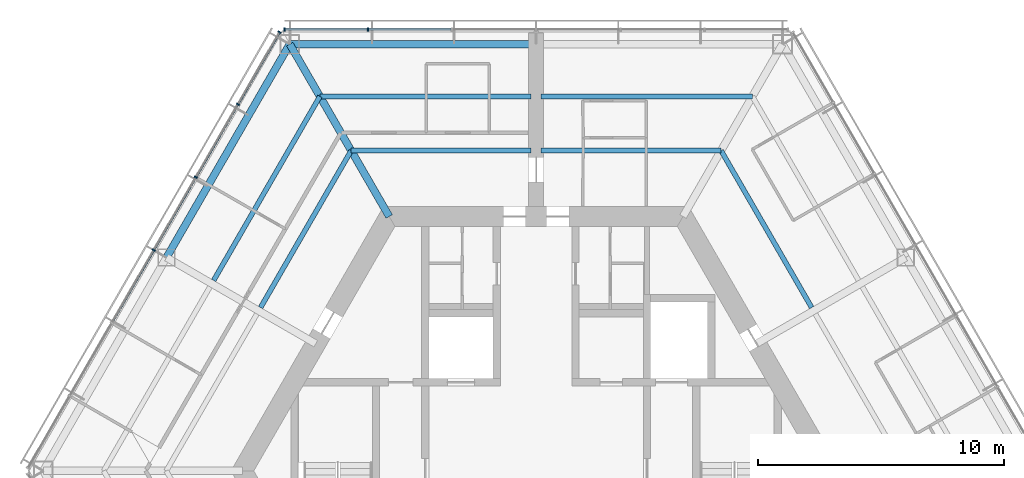
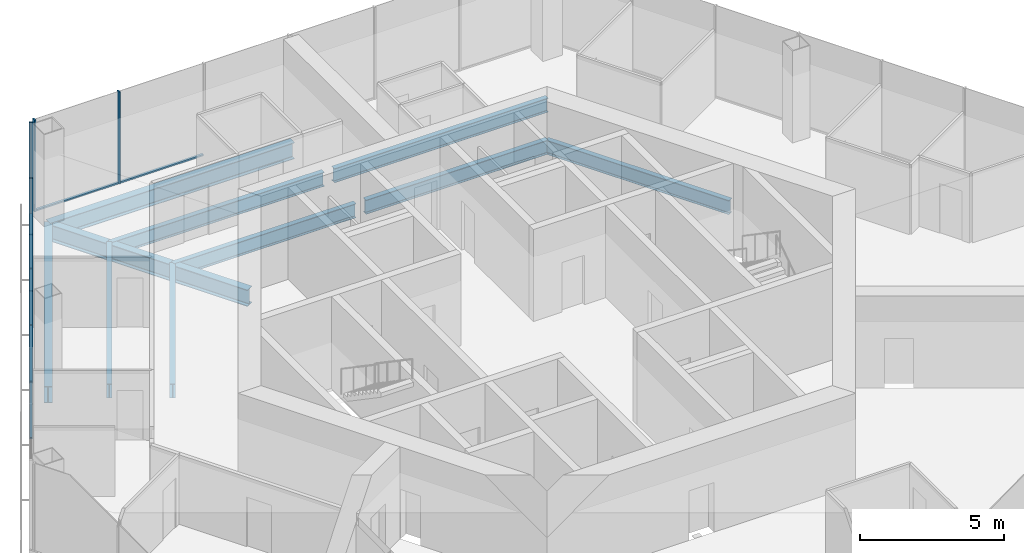
# One storey, part 6 of 16: 12 members, 10 beams, 2 elements without a shape of their own.
"""IFC4 building model written with IfcOpenShell, lengths in metres."""

from ifc_helpers import new_model, si_unit, direction, frame, origin, origin_2d, place, context, subcontext, project, spatial, rectangle, i_section, extrude, material, material_profile, profile_set, type_object, element, aggregate, save


model = new_model("IFC4")

# Units and contexts
model_context = context("Model", 3, precision=1e-05, world=origin(), true_north=direction((0.0, 1.0)))
body_context = subcontext(model_context, "Body", "Model", "MODEL_VIEW")
ifc_project = project(units=[si_unit("LENGTHUNIT", "METRE"), si_unit("AREAUNIT", "SQUARE_METRE"), si_unit("VOLUMEUNIT", "CUBIC_METRE"), si_unit("PLANEANGLEUNIT", "RADIAN"), si_unit("MASSUNIT", "GRAM", prefix="KILO")], contexts=[model_context])

# Site, building, storey
site_placement = place(None, origin())
site = spatial("IfcSite", under=ifc_project, at=site_placement, CompositionType="ELEMENT")
building_placement = place(site_placement, origin())
building = spatial("IfcBuilding", under=site, at=building_placement, Name="Kasaneha Research Tower", CompositionType="ELEMENT")
storey_placement = place(building_placement, frame((0.0, 0.0, 255.699951171875)))
storey = spatial("IfcBuildingStorey", under=building, at=storey_placement, Name="L64", CompositionType="ELEMENT", Elevation=255.699951171875)

# Beams
ifc_material_1 = material(Name="Steel SN490B", Category="steel")
ifc_material_profile_1 = material_profile(ifc_material_1, i_section(OverallWidth=0.199951171875, OverallDepth=0.60009765625, WebThickness=0.010986328125, FlangeThickness=0.01708984375, FilletRadius=0.012939453125, at=origin_2d()), Name="H-600x200x11x17")
ifc_profile_set_1 = profile_set([ifc_material_profile_1], Name="Steel SN490B")
beam_type_1 = type_object("IfcBeamType", Name="B1-3 secondary beam H-600x200x11x17", PredefinedType="JOIST", material=ifc_profile_set_1)
beam_1_placement = place(storey_placement, frame((7.505615234375, 13.0, -0.449951171875), z_axis=(0.499994443168, -0.866028611999, 0.0), x_axis=(0.866028611999, 0.499994443168, 0.0)))
element("IfcBeam", 1, at=beam_1_placement, inside=storey, type_object=beam_type_1, Name="Secondary beam RS030R1 L64", PredefinedType="JOIST", context=body_context, shape_type="SweptSolid", body=[
    extrude(i_section(OverallWidth=0.199951171875, OverallDepth=0.60009765625, WebThickness=0.010986328125, FlangeThickness=0.01708984375, FilletRadius=0.012939453125, at=origin_2d()), origin(), (0.0, 0.0, 1.0), 7.35546875),
])
beam_2_placement = place(storey_placement, frame((7.505615234375, 13.0, -0.449951171875), z_axis=(-1.0, 0.0, 0.0), x_axis=(0.0, -1.0, 0.0)))
element("IfcBeam", 2, at=beam_2_placement, inside=storey, type_object=beam_type_1, Name="Secondary beam RS090L1 L64", PredefinedType="JOIST", context=body_context, shape_type="SweptSolid", body=[
    extrude(i_section(OverallWidth=0.199951171875, OverallDepth=0.60009765625, WebThickness=0.010986328125, FlangeThickness=0.01708984375, FilletRadius=0.012939453125, at=origin_2d()), origin(), (0.0, 0.0, 1.0), 7.3056640625),
])
beam_3_placement = place(storey_placement, frame((8.775634765625, 15.199951171875, -0.449951171875), z_axis=(-1.0, 0.0, 0.0), x_axis=(0.0, -1.0, 0.0)))
element("IfcBeam", 3, at=beam_3_placement, inside=storey, type_object=beam_type_1, Name="Secondary beam RS090L2 L64", PredefinedType="JOIST", context=body_context, shape_type="SweptSolid", body=[
    extrude(i_section(OverallWidth=0.199951171875, OverallDepth=0.60009765625, WebThickness=0.010986328125, FlangeThickness=0.01708984375, FilletRadius=0.012939453125, at=origin_2d()), origin(), (0.0, 0.0, 1.0), 8.57568359375),
])
beam_4_placement = place(storey_placement, frame((-7.505615234375, 13.0, -0.449951171875), z_axis=(1.0, 0.0, 0.0), x_axis=(0.0, 1.0, 0.0)))
element("IfcBeam", 4, at=beam_4_placement, inside=storey, type_object=beam_type_1, Name="Secondary beam RS090R1 L64", PredefinedType="JOIST", context=body_context, shape_type="SweptSolid", body=[
    extrude(i_section(OverallWidth=0.199951171875, OverallDepth=0.60009765625, WebThickness=0.010986328125, FlangeThickness=0.01708984375, FilletRadius=0.012939453125, at=origin_2d()), origin(), (0.0, 0.0, 1.0), 7.3056640625),
])
beam_5_placement = place(storey_placement, frame((-8.775634765625, 15.199951171875, -0.449951171875), z_axis=(1.0, 0.0, 0.0), x_axis=(0.0, 1.0, 0.0)))
element("IfcBeam", 5, at=beam_5_placement, inside=storey, type_object=beam_type_1, Name="Secondary beam RS090R2 L64", PredefinedType="JOIST", context=body_context, shape_type="SweptSolid", body=[
    extrude(i_section(OverallWidth=0.199951171875, OverallDepth=0.60009765625, WebThickness=0.010986328125, FlangeThickness=0.01708984375, FilletRadius=0.012939453125, at=origin_2d()), origin(), (0.0, 0.0, 1.0), 8.57568359375),
])
beam_6_placement = place(storey_placement, frame((-7.505615234375, 13.0, -0.449951171875), z_axis=(-0.499994443168, -0.866028611999, 0.0), x_axis=(0.866028611999, -0.499994443168, 0.0)))
element("IfcBeam", 6, at=beam_6_placement, inside=storey, type_object=beam_type_1, Name="Secondary beam RS150L1 L64", PredefinedType="JOIST", context=body_context, shape_type="SweptSolid", body=[
    extrude(i_section(OverallWidth=0.199951171875, OverallDepth=0.60009765625, WebThickness=0.010986328125, FlangeThickness=0.01708984375, FilletRadius=0.012939453125, at=origin_2d()), origin(), (0.0, 0.0, 1.0), 7.35546875),
])
beam_7_placement = place(storey_placement, frame((-8.775634765625, 15.199951171875, -0.449951171875), z_axis=(-0.500017275495, -0.866015429543, 0.0), x_axis=(0.866015429543, -0.500017275495, 0.0)))
element("IfcBeam", 7, at=beam_7_placement, inside=storey, type_object=beam_type_1, Name="Secondary beam RS150L2 L64", PredefinedType="JOIST", context=body_context, shape_type="SweptSolid", body=[
    extrude(i_section(OverallWidth=0.199951171875, OverallDepth=0.60009765625, WebThickness=0.010986328125, FlangeThickness=0.01708984375, FilletRadius=0.012939453125, at=origin_2d()), origin(), (0.0, 0.0, 1.0), 8.625732421875),
])

# Curtain wall, members
ifc_material_2 = material(Name="Glass and aluminium", Category="aluminium")
curtain_wall_type = type_object("IfcCurtainWallType", Name="High-rise office curtain wall", PredefinedType="USERDEFINED", material=ifc_material_2)
curtain_wall_1_placement = place(storey_placement, origin())
curtain_wall_1 = element("IfcCurtainWall", 8, at=curtain_wall_1_placement, inside=storey, type_object=curtain_wall_type, Name="CW-O3 L64 run 02a", ObjectType="UNITISED CURTAIN WALL", PredefinedType="USERDEFINED")
ifc_material_3 = material(Name="Aluminium 6063-T6", Category="aluminium")
ifc_material_profile_2 = material_profile(ifc_material_3, rectangle(XDim=0.06005859375, YDim=0.139892578125, at=origin_2d()), Name="CW-O3 mullion 60x140")
ifc_profile_set_2 = profile_set([ifc_material_profile_2], Name="Aluminium 6063-T6")
member_type_1 = type_object("IfcMemberType", Name="CW-O3 mullion", PredefinedType="MULLION", material=ifc_profile_set_2)
member_1_placement = place(storey_placement, frame((-6.8310546875, 17.92041015625, 0.0), z_axis=(0.0, 0.0, 1.0), x_axis=(-1.0, 0.0, 0.0)))
member_1 = element("IfcMember", 9, at=member_1_placement, type_object=member_type_1, Name="CW-O3 mullion 6", PredefinedType="MULLION", context=body_context, shape_type="SweptSolid", body=[
    extrude(rectangle(XDim=0.06005859375, YDim=0.139892578125, at=origin_2d()), origin(), (0.0, 0.0, 1.0), 3.900146484375),
])
member_2_placement = place(storey_placement, frame((-10.21630859375, 17.92041015625, 0.0), z_axis=(0.0, 0.0, 1.0), x_axis=(-1.0, 0.0, 0.0)))
member_2 = element("IfcMember", 10, at=member_2_placement, type_object=member_type_1, Name="CW-O3 mullion 7", PredefinedType="MULLION", context=body_context, shape_type="SweptSolid", body=[
    extrude(rectangle(XDim=0.06005859375, YDim=0.139892578125, at=origin_2d()), origin(), (0.0, 0.0, 1.0), 3.900146484375),
])

curtain_wall_2_placement = place(storey_placement, origin())
curtain_wall_2 = element("IfcCurtainWall", 11, at=curtain_wall_2_placement, inside=storey, type_object=curtain_wall_type, Name="CW-O3 L64 run 03a", ObjectType="UNITISED CURTAIN WALL", PredefinedType="USERDEFINED")
member_3_placement = place(storey_placement, frame((-10.411376953125, 17.807861328125, 0.0), z_axis=(0.0, 0.0, 1.0), x_axis=(-0.499999995722, -0.866025406254, 0.0)))
member_3 = element("IfcMember", 12, at=member_3_placement, type_object=member_type_1, Name="CW-O3 mullion 1", PredefinedType="MULLION", context=body_context, shape_type="SweptSolid", body=[
    extrude(rectangle(XDim=0.06005859375, YDim=0.139892578125, at=origin_2d()), origin(), (0.0, 0.0, 1.0), 3.900146484375),
])
member_4_placement = place(storey_placement, frame((-12.104248046875, 14.8759765625, 0.0), z_axis=(0.0, 0.0, 1.0), x_axis=(-0.499999995722, -0.866025406254, 0.0)))
member_4 = element("IfcMember", 13, at=member_4_placement, type_object=member_type_1, Name="CW-O3 mullion 2", PredefinedType="MULLION", context=body_context, shape_type="SweptSolid", body=[
    extrude(rectangle(XDim=0.06005859375, YDim=0.139892578125, at=origin_2d()), origin(), (0.0, 0.0, 1.0), 3.900146484375),
])
member_5_placement = place(storey_placement, frame((-13.811767578125, 11.918212890625, 0.0), z_axis=(0.0, 0.0, 1.0), x_axis=(-0.499999995722, -0.866025406254, 0.0)))
member_5 = element("IfcMember", 14, at=member_5_placement, type_object=member_type_1, Name="CW-O3 mullion 3", PredefinedType="MULLION", context=body_context, shape_type="SweptSolid", body=[
    extrude(rectangle(XDim=0.06005859375, YDim=0.139892578125, at=origin_2d()), origin(), (0.0, 0.0, 1.0), 3.900146484375),
])
member_6_placement = place(storey_placement, frame((-15.51953125, 8.960205078125, 0.0), z_axis=(0.0, 0.0, 1.0), x_axis=(-0.499999995722, -0.866025406254, 0.0)))
member_6 = element("IfcMember", 15, at=member_6_placement, type_object=member_type_1, Name="CW-O3 mullion 4", PredefinedType="MULLION", context=body_context, shape_type="SweptSolid", body=[
    extrude(rectangle(XDim=0.06005859375, YDim=0.139892578125, at=origin_2d()), origin(), (0.0, 0.0, 1.0), 3.900146484375),
])

# Member
ifc_material_4 = material(Name="Aluminium 6063-T6", Category="aluminium")
ifc_material_profile_3 = material_profile(ifc_material_4, rectangle(XDim=0.10009765625, YDim=0.06005859375, at=origin_2d()), Name="CW-O3 transom 100x60")
ifc_profile_set_3 = profile_set([ifc_material_profile_3], Name="Aluminium 6063-T6")
member_type_2 = type_object("IfcMemberType", Name="CW-O3 transom", PredefinedType="USERDEFINED", material=ifc_profile_set_3)
member_7_placement = place(storey_placement, frame((-3.445556640625, 17.92041015625, 0.030029296875), z_axis=(-1.0, 0.0, 0.0), x_axis=(0.0, -1.0, 0.0)))
member_7 = element("IfcMember", 16, at=member_7_placement, type_object=member_type_2, Name="CW-O3 transom 5", ObjectType="TRANSOM", PredefinedType="USERDEFINED", context=body_context, shape_type="SweptSolid", body=[
    extrude(rectangle(XDim=0.10009765625, YDim=0.06005859375, at=origin_2d()), origin(), (0.0, 0.0, 1.0), 3.35546875),
])

member_8_placement = place(storey_placement, frame((-6.86083984375, 17.92041015625, 0.030029296875), z_axis=(-1.0, 0.0, 0.0), x_axis=(0.0, -1.0, 0.0)))
member_8 = element("IfcMember", 17, at=member_8_placement, type_object=member_type_2, Name="CW-O3 transom 6", ObjectType="TRANSOM", PredefinedType="USERDEFINED", context=body_context, shape_type="SweptSolid", body=[
    extrude(rectangle(XDim=0.10009765625, YDim=0.06005859375, at=origin_2d()), origin(), (0.0, 0.0, 1.0), 3.32568359375),
])

aggregate(curtain_wall_1, [member_1, member_2, member_7, member_8])

member_9_placement = place(storey_placement, frame((-10.426513671875, 17.781982421875, 0.030029296875), z_axis=(-0.49997666526, -0.866038875684, 0.0), x_axis=(0.866038875684, -0.49997666526, 0.0)))
member_9 = element("IfcMember", 18, at=member_9_placement, type_object=member_type_2, Name="CW-O3 transom 1", ObjectType="TRANSOM", PredefinedType="USERDEFINED", context=body_context, shape_type="SweptSolid", body=[
    extrude(rectangle(XDim=0.10009765625, YDim=0.06005859375, at=origin_2d()), origin(), (0.0, 0.0, 1.0), 3.325439453125),
])

member_10_placement = place(storey_placement, frame((-12.119140625, 14.85009765625, 0.030029296875), z_axis=(-0.499989072476, -0.866031712701, 0.0), x_axis=(0.866031712701, -0.499989072476, 0.0)))
member_10 = element("IfcMember", 19, at=member_10_placement, type_object=member_type_2, Name="CW-O3 transom 2", ObjectType="TRANSOM", PredefinedType="USERDEFINED", context=body_context, shape_type="SweptSolid", body=[
    extrude(rectangle(XDim=0.10009765625, YDim=0.06005859375, at=origin_2d()), origin(), (0.0, 0.0, 1.0), 3.35546875),
])

member_11_placement = place(storey_placement, frame((-13.826904296875, 11.89208984375, 0.030029296875), z_axis=(-0.500020578564, -0.866013522419, 0.0), x_axis=(0.866013522419, -0.500020578564, 0.0)))
member_11 = element("IfcMember", 20, at=member_11_placement, type_object=member_type_2, Name="CW-O3 transom 3", ObjectType="TRANSOM", PredefinedType="USERDEFINED", context=body_context, shape_type="SweptSolid", body=[
    extrude(rectangle(XDim=0.10009765625, YDim=0.06005859375, at=origin_2d()), origin(), (0.0, 0.0, 1.0), 3.355224609375),
])

member_12_placement = place(storey_placement, frame((-15.53466796875, 8.934326171875, 0.030029296875), z_axis=(-0.499989072476, -0.866031712701, 0.0), x_axis=(0.866031712701, -0.499989072476, 0.0)))
member_12 = element("IfcMember", 21, at=member_12_placement, type_object=member_type_2, Name="CW-O3 transom 4", ObjectType="TRANSOM", PredefinedType="USERDEFINED", context=body_context, shape_type="SweptSolid", body=[
    extrude(rectangle(XDim=0.10009765625, YDim=0.06005859375, at=origin_2d()), origin(), (0.0, 0.0, 1.0), 3.35546875),
])

aggregate(curtain_wall_2, [member_3, member_4, member_5, member_6, member_9, member_10, member_11, member_12])

# Beams
ifc_material_5 = material(Name="Steel SN490B", Category="steel")
ifc_material_profile_4 = material_profile(ifc_material_5, i_section(OverallWidth=0.300048828125, OverallDepth=0.699951171875, WebThickness=0.012939453125, FlangeThickness=0.02392578125, FilletRadius=0.01806640625, at=origin_2d()), Name="H-700x300x13x24")
ifc_profile_set_4 = profile_set([ifc_material_profile_4], Name="Steel SN490B")
beam_type_2 = type_object("IfcBeamType", Name="G1-3 radial girder H-700x300x13x24", PredefinedType="BEAM", material=ifc_profile_set_4)
beam_8_placement = place(storey_placement, frame((-5.961181640625, 10.324951171875, -0.5), z_axis=(-0.49999105496, 0.866030568144, 0.0), x_axis=(-0.866030568144, -0.49999105496, 0.0)))
element("IfcBeam", 22, at=beam_8_placement, inside=storey, type_object=beam_type_2, Name="Radial girder RV120 L64", PredefinedType="BEAM", context=body_context, shape_type="SweptSolid", body=[
    extrude(i_section(OverallWidth=0.300048828125, OverallDepth=0.699951171875, WebThickness=0.012939453125, FlangeThickness=0.02392578125, FilletRadius=0.01806640625, at=origin_2d()), origin(), (0.0, 0.0, 1.0), 8.077880859375),
])
ifc_material_6 = material(Name="Steel SN490B", Category="steel")
ifc_material_profile_5 = material_profile(ifc_material_6, i_section(OverallWidth=0.300048828125, OverallDepth=0.69189453125, WebThickness=0.012939453125, FlangeThickness=0.02001953125, FilletRadius=0.01806640625, at=origin_2d()), Name="H-692x300x13x20")
ifc_profile_set_5 = profile_set([ifc_material_profile_5], Name="Steel SN490B")
beam_type_3 = type_object("IfcBeamType", Name="G3-3 plate edge girder H-692x300x13x20", PredefinedType="BEAM", material=ifc_profile_set_5)
beam_9_placement = place(storey_placement, frame((-10.0, 17.320556640625, -0.495849609375), z_axis=(1.0, 0.0, 0.0), x_axis=(0.0, 1.0, 0.0)))
element("IfcBeam", 23, at=beam_9_placement, inside=storey, type_object=beam_type_3, Name="Plate edge girder PEAN L64", PredefinedType="BEAM", context=body_context, shape_type="SweptSolid", body=[
    extrude(i_section(OverallWidth=0.300048828125, OverallDepth=0.69189453125, WebThickness=0.012939453125, FlangeThickness=0.02001953125, FilletRadius=0.01806640625, at=origin_2d()), origin(), (0.0, 0.0, 1.0), 9.800048828125),
])
ifc_material_7 = material(Name="Steel SN490B", Category="steel")
ifc_material_profile_6 = material_profile(ifc_material_7, i_section(OverallWidth=0.300048828125, OverallDepth=0.69189453125, WebThickness=0.012939453125, FlangeThickness=0.02001953125, FilletRadius=0.01806640625, at=origin_2d()), Name="H-692x300x13x20")
ifc_profile_set_6 = profile_set([ifc_material_profile_6], Name="Steel SN490B")
beam_type_4 = type_object("IfcBeamType", Name="SB1-3 spandrel beam H-692x300x13x20", PredefinedType="SPANDREL", material=ifc_profile_set_6)
beam_10_placement = place(storey_placement, frame((-10.0, 17.320556640625, -0.495849609375), z_axis=(-0.499993662806, -0.866029062534, 0.0), x_axis=(0.866029062534, -0.499993662806, 0.0)))
element("IfcBeam", 24, at=beam_10_placement, inside=storey, type_object=beam_type_4, Name="Spandrel beam SR150L L64", PredefinedType="SPANDREL", context=body_context, shape_type="SweptSolid", body=[
    extrude(i_section(OverallWidth=0.300048828125, OverallDepth=0.69189453125, WebThickness=0.012939453125, FlangeThickness=0.02001953125, FilletRadius=0.01806640625, at=origin_2d()), origin(), (0.0, 0.0, 1.0), 10.000244140625),
])

save(model, "model.ifc")
